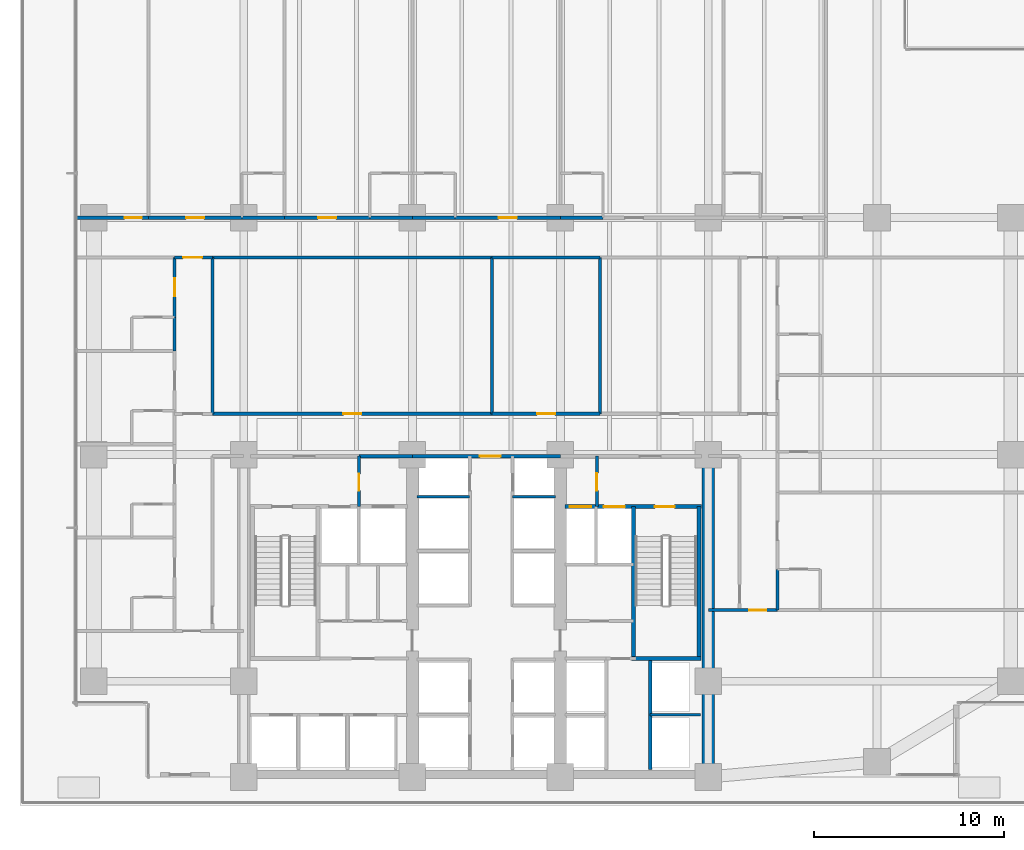
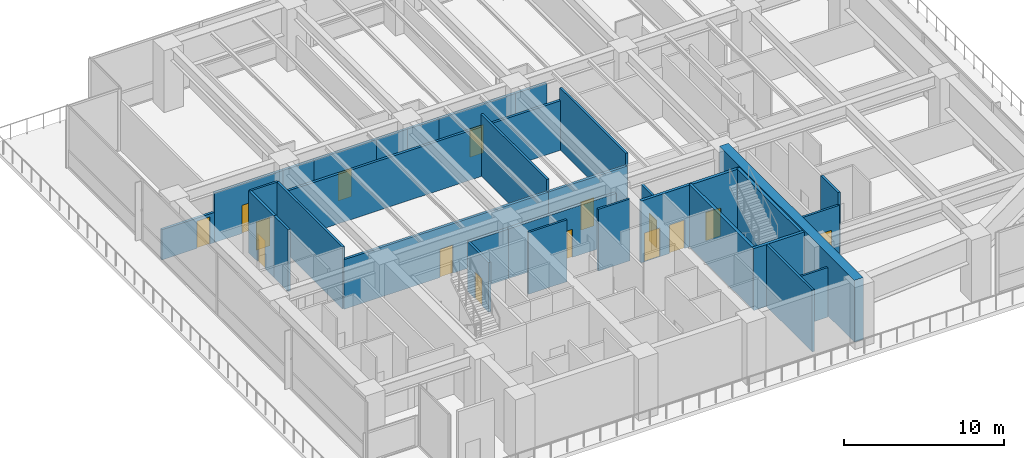
# One storey, part 9 of 19: 33 walls, 15 doors, 15 openings.
"""IFC4 building model written with IfcOpenShell, lengths in metres."""

from ifc_helpers import new_model, si_unit, direction, frame, frame_2d, origin, place, context, subcontext, project, spatial, rectangle, extrude, material, layer, layer_set, type_object, element, fill, save


model = new_model("IFC4")

# Units and contexts
model_context = context("Model", 3, precision=1e-05, world=origin(), true_north=direction((0.0, 1.0)))
body_context = subcontext(model_context, "Body", "Model", "MODEL_VIEW")
ifc_project = project(units=[si_unit("LENGTHUNIT", "METRE"), si_unit("AREAUNIT", "SQUARE_METRE"), si_unit("VOLUMEUNIT", "CUBIC_METRE"), si_unit("PLANEANGLEUNIT", "RADIAN"), si_unit("MASSUNIT", "GRAM", prefix="KILO")], contexts=[model_context])

# Site, building, storey
site_placement = place(None, origin())
site = spatial("IfcSite", under=ifc_project, at=site_placement, CompositionType="ELEMENT")
building_placement = place(site_placement, origin())
building = spatial("IfcBuilding", under=site, at=building_placement, Name="Qalmaran Belvedere Hotel", CompositionType="ELEMENT")
storey_placement = place(building_placement, frame((0.0, 0.0, 28.39990234375)))
storey = spatial("IfcBuildingStorey", under=building, at=storey_placement, Name="L06", CompositionType="ELEMENT", Elevation=28.39990234375)

# Walls
ifc_material_1 = material(Name="Concrete C60/75", Category="concrete")
ifc_layer_1 = layer(ifc_material_1, 0.64990234375, Name="Concrete C60/75")
ifc_layer_set_1 = layer_set([ifc_layer_1], Name="Concrete C60/75")
wall_type_1 = type_object("IfcWallType", Name="WL-CORE-650-C60", PredefinedType="SHEAR", material=ifc_layer_set_1)
wall_1_placement = place(storey_placement, frame((44.800048828125, 3.5, 0.0), z_axis=(0.0, 0.0, 1.0), x_axis=(0.0, 1.0, 0.0)))
element("IfcWall", 1, at=wall_1_placement, inside=storey, type_object=wall_type_1, Name="L06 East Core Shear Wall", PredefinedType="SHEAR", context=body_context, shape_type="SweptSolid", body=[
    extrude(rectangle(XDim=16.89990234375, YDim=0.64990234375, at=frame_2d((8.449951171875, 0.0))), origin(), (0.0, 0.0, 1.0), 4.72021484375),
])
ifc_material_2 = material(Name="Gypsum Stud Partition")
ifc_layer_2 = layer(ifc_material_2, 0.14990234375, Name="Gypsum Stud Partition")
ifc_layer_set_2 = layer_set([ifc_layer_2], Name="Gypsum Stud Partition")
wall_type_2 = type_object("IfcWallType", Name="WL-INT-150-EI120", PredefinedType="PARTITIONING", material=ifc_layer_set_2)
wall_2_placement = place(storey_placement, frame((41.739990234375, 6.780029296875, 0.0), z_axis=(0.0, 0.0, 1.0), x_axis=(1.0, 0.0, 0.0)))
element("IfcWall", 2, at=wall_2_placement, inside=storey, type_object=wall_type_2, Name="L06 Partition WL-PHME-L06", PredefinedType="PARTITIONING", context=body_context, shape_type="SweptSolid", body=[
    extrude(rectangle(XDim=2.659912109375, YDim=0.14990234375, at=frame_2d((1.330078125, 0.0))), origin(), (0.0, 0.0, 1.0), 3.7841796875),
])
wall_3_placement = place(storey_placement, frame((29.449951171875, 18.280029296875, 0.0), z_axis=(0.0, 0.0, 1.0), x_axis=(1.0, 0.0, 0.0)))
element("IfcWall", 3, at=wall_3_placement, inside=storey, type_object=wall_type_2, Name="L06 Partition WL-PMW-L06-182", PredefinedType="PARTITIONING", context=body_context, shape_type="SweptSolid", body=[
    extrude(rectangle(XDim=2.77001953125, YDim=0.14990234375, at=frame_2d((1.385009765625, 0.0))), origin(), (0.0, 0.0, 1.0), 4.72021484375),
])
wall_4_placement = place(storey_placement, frame((34.47998046875, 18.280029296875, 0.0), z_axis=(0.0, 0.0, 1.0), x_axis=(1.0, 0.0, 0.0)))
element("IfcWall", 4, at=wall_4_placement, inside=storey, type_object=wall_type_2, Name="L06 Partition WL-PME-L06-182", PredefinedType="PARTITIONING", context=body_context, shape_type="SweptSolid", body=[
    extrude(rectangle(XDim=2.27001953125, YDim=0.14990234375, at=frame_2d((1.135009765625, 0.0))), origin(), (0.0, 0.0, 1.0), 4.72021484375),
])

# Wall, opening, door
ifc_layer_3 = layer(ifc_material_2, 0.14990234375, Name="Gypsum Stud Partition")
ifc_layer_set_3 = layer_set([ifc_layer_3], Name="Gypsum Stud Partition")
wall_type_3 = type_object("IfcWallType", Name="WL-INT-150-EI60", PredefinedType="PARTITIONING", material=ifc_layer_set_3)
wall_5_placement = place(storey_placement, frame((16.64990234375, 30.89990234375, 0.0), z_axis=(0.0, 0.0, 1.0), x_axis=(1.0, 0.0, 0.0)))
wall_5 = element("IfcWall", 5, at=wall_5_placement, inside=storey, type_object=wall_type_3, Name="L06 Partition WL-L06-XCW2", PredefinedType="PARTITIONING", context=body_context, shape_type="SweptSolid", body=[
    extrude(rectangle(XDim=2.0, YDim=0.14990234375, at=frame_2d((1.0, 0.0))), origin(), (0.0, 0.0, 1.0), 4.72021484375),
])
opening_1_placement = place(wall_5_placement, frame((0.449951171875, 0.0, 0.0)))
opening_1 = element("IfcOpeningElement", 6, at=opening_1_placement, cuts=wall_5, Name="Opening FD90B", PredefinedType="OPENING", context=body_context, shape_type="SweptSolid", body=[
    extrude(rectangle(XDim=1.0, YDim=2.14990234375, at=frame_2d((0.5, 1.074951171875))), frame((0.0, 0.0849609375, 0.0), z_axis=(0.0, -1.0, 0.0), x_axis=(1.0, 0.0, 0.0)), (0.0, 0.0, 1.0), 0.169921875),
])
ifc_material_3 = material(Name="Steel S355JR", Category="steel")
door_type_1 = type_object("IfcDoorType", Name="DR-FD90B-1000X2150", OperationType="NOTDEFINED", PredefinedType="DOOR", material=ifc_material_3)
door_1_placement = place(opening_1_placement, origin())
door_1 = element("IfcDoor", 7, at=door_1_placement, inside=storey, type_object=door_type_1, Name="L06 West Corridor Smoke Door N", OperationType="SINGLE_SWING_LEFT", OverallHeight=2.14990234375, OverallWidth=1.0, PredefinedType="DOOR", context=body_context, shape_type="SweptSolid", body=[
    extrude(rectangle(XDim=1.0, YDim=2.14990234375, at=frame_2d((0.5, 1.074951171875))), frame((0.0, 0.02490234375, 0.0), z_axis=(0.0, -1.0, 0.0), x_axis=(1.0, 0.0, 0.0)), (0.0, 0.0, 1.0), 0.050048828125),
])
fill(opening_1, door_1)

ifc_layer_4 = layer(ifc_material_2, 0.159912109375, Name="Gypsum Stud Partition")
ifc_layer_set_4 = layer_set([ifc_layer_4], Name="Gypsum Stud Partition")
wall_type_4 = type_object("IfcWallType", Name="WL-INT-160-EI120", PredefinedType="PARTITIONING", material=ifc_layer_set_4)
wall_6_placement = place(storey_placement, frame((26.3798828125, 17.760009765625, 0.0), z_axis=(0.0, 0.0, 1.0), x_axis=(0.0, 1.0, 0.0)))
wall_6 = element("IfcWall", 8, at=wall_6_placement, inside=storey, type_object=wall_type_4, Name="L06 Partition WL-FFSV1-L06", PredefinedType="PARTITIONING", context=body_context, shape_type="SweptSolid", body=[
    extrude(rectangle(XDim=2.659912109375, YDim=0.159912109375, at=frame_2d((1.330078125, 0.0))), origin(), (0.0, 0.0, 1.0), 3.7841796875),
])
opening_2_placement = place(wall_6_placement, frame((0.85009765625, 0.0, 0.0)))
opening_2 = element("IfcOpeningElement", 9, at=opening_2_placement, cuts=wall_6, Name="Opening FD60B", PredefinedType="OPENING", context=body_context, shape_type="SweptSolid", body=[
    extrude(rectangle(XDim=0.8798828125, YDim=2.080078125, at=frame_2d((0.43994140625, 1.0400390625))), frame((0.0, 0.08984375, 0.0), z_axis=(0.0, -1.0, 0.0), x_axis=(1.0, 0.0, 0.0)), (0.0, 0.0, 1.0), 0.179931640625),
])
door_type_2 = type_object("IfcDoorType", Name="DR-FD60B-880X2080", OperationType="NOTDEFINED", PredefinedType="DOOR", material=ifc_material_3)
door_2_placement = place(opening_2_placement, origin())
door_2 = element("IfcDoor", 10, at=door_2_placement, inside=storey, type_object=door_type_2, Name="L06 Service Lobby West Door", OperationType="SINGLE_SWING_LEFT", OverallHeight=2.080078125, OverallWidth=0.8798828125, PredefinedType="DOOR", context=body_context, shape_type="SweptSolid", body=[
    extrude(rectangle(XDim=0.8798828125, YDim=2.080078125, at=frame_2d((0.43994140625, 1.0400390625))), frame((0.0, 0.02490234375, 0.0), z_axis=(0.0, -1.0, 0.0), x_axis=(1.0, 0.0, 0.0)), (0.0, 0.0, 1.0), 0.050048828125),
])
fill(opening_2, door_2)

wall_7_placement = place(storey_placement, frame((38.919921875, 17.760009765625, 0.0), z_axis=(0.0, 0.0, 1.0), x_axis=(0.0, 1.0, 0.0)))
wall_7 = element("IfcWall", 11, at=wall_7_placement, inside=storey, type_object=wall_type_4, Name="L06 Partition WL-FFSV2-L06", PredefinedType="PARTITIONING", context=body_context, shape_type="SweptSolid", body=[
    extrude(rectangle(XDim=2.659912109375, YDim=0.159912109375, at=frame_2d((1.330078125, 0.0))), origin(), (0.0, 0.0, 1.0), 3.7841796875),
])
opening_3_placement = place(wall_7_placement, frame((1.77001953125, 0.0, 0.0), z_axis=(0.0, 0.0, 1.0), x_axis=(-1.0, 0.0, 0.0)))
opening_3 = element("IfcOpeningElement", 12, at=opening_3_placement, cuts=wall_7, Name="Opening FD60S1", PredefinedType="OPENING", context=body_context, shape_type="SweptSolid", body=[
    extrude(rectangle(XDim=0.919921875, YDim=2.080078125, at=frame_2d((0.4599609375, 1.0400390625))), frame((0.0, 0.08984375, 0.0), z_axis=(0.0, -1.0, 0.0), x_axis=(1.0, 0.0, 0.0)), (0.0, 0.0, 1.0), 0.179931640625),
])
ifc_material_4 = material(Name="Engineered Oak Veneer")
door_type_3 = type_object("IfcDoorType", Name="DR-FD60S-920X2080", OperationType="NOTDEFINED", PredefinedType="DOOR", material=ifc_material_4)
door_3_placement = place(opening_3_placement, origin())
door_3 = element("IfcDoor", 13, at=door_3_placement, inside=storey, type_object=door_type_3, Name="L06 Service Lobby East Door", OperationType="SINGLE_SWING_RIGHT", OverallHeight=2.080078125, OverallWidth=0.919921875, PredefinedType="DOOR", context=body_context, shape_type="SweptSolid", body=[
    extrude(rectangle(XDim=0.919921875, YDim=2.080078125, at=frame_2d((0.4599609375, 1.0400390625))), frame((0.0, 0.02490234375, 0.0), z_axis=(0.0, -1.0, 0.0), x_axis=(1.0, 0.0, 0.0)), (0.0, 0.0, 1.0), 0.050048828125),
])
fill(opening_3, door_3)

# Wall
wall_8_placement = place(storey_placement, frame((41.739990234375, 3.89990234375, 0.0), z_axis=(0.0, 0.0, 1.0), x_axis=(0.0, 1.0, 0.0)))
element("IfcWall", 14, at=wall_8_placement, inside=storey, type_object=wall_type_4, Name="L06 Partition WL-PHE-L06", PredefinedType="PARTITIONING", context=body_context, shape_type="SweptSolid", body=[
    extrude(rectangle(XDim=5.840087890625, YDim=0.159912109375, at=frame_2d((2.919921875, 0.0))), origin(), (0.0, 0.0, 1.0), 4.72021484375),
])

# Wall, opening, door
ifc_layer_5 = layer(ifc_material_2, 0.159912109375, Name="Gypsum Stud Partition")
ifc_layer_set_5 = layer_set([ifc_layer_5], Name="Gypsum Stud Partition")
wall_type_5 = type_object("IfcWallType", Name="WL-INT-160-EI60", PredefinedType="PARTITIONING", material=ifc_layer_set_5)
wall_9_placement = place(storey_placement, frame((44.800048828125, 12.300048828125, 0.0), z_axis=(0.0, 0.0, 1.0), x_axis=(1.0, 0.0, 0.0)))
wall_9 = element("IfcWall", 15, at=wall_9_placement, inside=storey, type_object=wall_type_5, Name="L06 Partition WL-L06-SERL", PredefinedType="PARTITIONING", context=body_context, shape_type="SweptSolid", body=[
    extrude(rectangle(XDim=3.64990234375, YDim=0.159912109375, at=frame_2d((1.824951171875, 0.0))), origin(), (0.0, 0.0, 1.0), 3.7841796875),
])
opening_4_placement = place(wall_9_placement, frame((3.06982421875, 0.0, 0.0), z_axis=(0.0, 0.0, 1.0), x_axis=(-1.0, 0.0, 0.0)))
opening_4 = element("IfcOpeningElement", 16, at=opening_4_placement, cuts=wall_9, Name="Opening FD60S1", PredefinedType="OPENING", context=body_context, shape_type="SweptSolid", body=[
    extrude(rectangle(XDim=0.919921875, YDim=2.080078125, at=frame_2d((0.4599609375, 1.0400390625))), frame((0.0, 0.08984375, 0.0), z_axis=(0.0, -1.0, 0.0), x_axis=(1.0, 0.0, 0.0)), (0.0, 0.0, 1.0), 0.179931640625),
])
door_4_placement = place(opening_4_placement, origin())
door_4 = element("IfcDoor", 17, at=door_4_placement, inside=storey, type_object=door_type_3, Name="L06 SE Lounge Door", OperationType="SINGLE_SWING_LEFT", OverallHeight=2.080078125, OverallWidth=0.919921875, PredefinedType="DOOR", context=body_context, shape_type="SweptSolid", body=[
    extrude(rectangle(XDim=0.919921875, YDim=2.080078125, at=frame_2d((0.4599609375, 1.0400390625))), frame((0.0, 0.02490234375, 0.0), z_axis=(0.0, -1.0, 0.0), x_axis=(1.0, 0.0, 0.0)), (0.0, 0.0, 1.0), 0.050048828125),
])
fill(opening_4, door_4)

# Walls
for number, where, z_axis, x_axis, name in (
    (18, (18.64990234375, 22.64990234375, 0.0), (0.0, 0.0, 1.0), (0.0, 1.0, 0.0), "L06 Partition WL-L06-MIDVL"),
    (19, (33.39990234375, 22.64990234375, 0.0), (0.0, 0.0, 1.0), (0.0, 1.0, 0.0), "L06 Partition WL-L06-MIDVR1"),
    (20, (39.10009765625, 22.64990234375, 0.0), (0.0, 0.0, 1.0), (0.0, 1.0, 0.0), "L06 Partition WL-L06-MIDVR2"),
):
    element("IfcWall", number, at=place(storey_placement, frame(where, z_axis=z_axis, x_axis=x_axis)), inside=storey, type_object=wall_type_5, Name=name, PredefinedType="PARTITIONING", context=body_context, shape_type="SweptSolid", body=[
        extrude(rectangle(XDim=8.25, YDim=0.159912109375, at=frame_2d((4.125, 0.0))), origin(), (0.0, 0.0, 1.0), 4.72021484375),
    ])

# Wall, opening, door
ifc_layer_6 = layer(ifc_material_2, 0.179931640625, Name="Gypsum Stud Partition")
ifc_layer_set_6 = layer_set([ifc_layer_6], Name="Gypsum Stud Partition")
wall_type_6 = type_object("IfcWallType", Name="WL-INT-180-EI60", PredefinedType="PARTITIONING", material=ifc_layer_set_6)
wall_10_placement = place(storey_placement, frame((18.64990234375, 22.64990234375, 0.0), z_axis=(0.0, 0.0, 1.0), x_axis=(1.0, 0.0, 0.0)))
wall_10 = element("IfcWall", 21, at=wall_10_placement, inside=storey, type_object=wall_type_6, Name="L06 Partition WL-L06-MIDD1", PredefinedType="PARTITIONING", context=body_context, shape_type="SweptSolid", body=[
    extrude(rectangle(XDim=14.75, YDim=0.179931640625, at=frame_2d((7.375, 0.0))), origin(), (0.0, 0.0, 1.0), 3.7841796875),
])
opening_5_placement = place(wall_10_placement, frame((6.89990234375, 0.0, 0.0)))
opening_5 = element("IfcOpeningElement", 22, at=opening_5_placement, cuts=wall_10, Name="Opening FD60", PredefinedType="OPENING", context=body_context, shape_type="SweptSolid", body=[
    extrude(rectangle(XDim=0.949951171875, YDim=2.14990234375, at=frame_2d((0.47509765625, 1.074951171875))), frame((0.0, 0.10009765625, 0.0), z_axis=(0.0, -1.0, 0.0), x_axis=(1.0, 0.0, 0.0)), (0.0, 0.0, 1.0), 0.199951171875),
])
door_type_4 = type_object("IfcDoorType", Name="DR-FD60-950X2150", OperationType="NOTDEFINED", PredefinedType="DOOR", material=ifc_material_4)
door_5_placement = place(opening_5_placement, origin())
door_5 = element("IfcDoor", 23, at=door_5_placement, inside=storey, type_object=door_type_4, Name="L06 Housekeeping and Linen Room Door", OperationType="SINGLE_SWING_RIGHT", OverallHeight=2.14990234375, OverallWidth=0.949951171875, PredefinedType="DOOR", context=body_context, shape_type="SweptSolid", body=[
    extrude(rectangle(XDim=0.949951171875, YDim=2.14990234375, at=frame_2d((0.47509765625, 1.074951171875))), frame((0.0, 0.02490234375, 0.0), z_axis=(0.0, -1.0, 0.0), x_axis=(1.0, 0.0, 0.0)), (0.0, 0.0, 1.0), 0.050048828125),
])
fill(opening_5, door_5)

# Wall
wall_11_placement = place(storey_placement, frame((18.64990234375, 30.89990234375, 0.0), z_axis=(0.0, 0.0, 1.0), x_axis=(1.0, 0.0, 0.0)))
element("IfcWall", 24, at=wall_11_placement, inside=storey, type_object=wall_type_6, Name="L06 Partition WL-L06-MIDO1", PredefinedType="PARTITIONING", context=body_context, shape_type="SweptSolid", body=[
    extrude(rectangle(XDim=14.75, YDim=0.179931640625, at=frame_2d((7.375, 0.0))), origin(), (0.0, 0.0, 1.0), 3.7841796875),
])

# Wall, opening, door
wall_12_placement = place(storey_placement, frame((33.39990234375, 22.64990234375, 0.0), z_axis=(0.0, 0.0, 1.0), x_axis=(1.0, 0.0, 0.0)))
wall_12 = element("IfcWall", 25, at=wall_12_placement, inside=storey, type_object=wall_type_6, Name="L06 Partition WL-L06-MIDD2", PredefinedType="PARTITIONING", context=body_context, shape_type="SweptSolid", body=[
    extrude(rectangle(XDim=5.7001953125, YDim=0.179931640625, at=frame_2d((2.85009765625, 0.0))), origin(), (0.0, 0.0, 1.0), 3.7841796875),
])
opening_6_placement = place(wall_12_placement, frame((2.375, 0.0, 0.0)))
opening_6 = element("IfcOpeningElement", 26, at=opening_6_placement, cuts=wall_12, Name="Opening FD60", PredefinedType="OPENING", context=body_context, shape_type="SweptSolid", body=[
    extrude(rectangle(XDim=0.949951171875, YDim=2.14990234375, at=frame_2d((0.47509765625, 1.074951171875))), frame((0.0, 0.10009765625, 0.0), z_axis=(0.0, -1.0, 0.0), x_axis=(1.0, 0.0, 0.0)), (0.0, 0.0, 1.0), 0.199951171875),
])
door_6_placement = place(opening_6_placement, origin())
door_6 = element("IfcDoor", 27, at=door_6_placement, inside=storey, type_object=door_type_4, Name="L06 Club Lounge Door", OperationType="SINGLE_SWING_LEFT", OverallHeight=2.14990234375, OverallWidth=0.949951171875, PredefinedType="DOOR", context=body_context, shape_type="SweptSolid", body=[
    extrude(rectangle(XDim=0.949951171875, YDim=2.14990234375, at=frame_2d((0.47509765625, 1.074951171875))), frame((0.0, 0.02490234375, 0.0), z_axis=(0.0, -1.0, 0.0), x_axis=(1.0, 0.0, 0.0)), (0.0, 0.0, 1.0), 0.050048828125),
])
fill(opening_6, door_6)

# Walls
wall_13_placement = place(storey_placement, frame((33.39990234375, 30.89990234375, 0.0), z_axis=(0.0, 0.0, 1.0), x_axis=(1.0, 0.0, 0.0)))
element("IfcWall", 28, at=wall_13_placement, inside=storey, type_object=wall_type_6, Name="L06 Partition WL-L06-MIDO2", PredefinedType="PARTITIONING", context=body_context, shape_type="SweptSolid", body=[
    extrude(rectangle(XDim=5.7001953125, YDim=0.179931640625, at=frame_2d((2.85009765625, 0.0))), origin(), (0.0, 0.0, 1.0), 3.7841796875),
])
wall_14_placement = place(storey_placement, frame((20.203857421875, 33.0, 0.0), z_axis=(0.0, 0.0, 1.0), x_axis=(1.0, 0.0, 0.0)))
element("IfcWall", 29, at=wall_14_placement, inside=storey, type_object=wall_type_6, Name="L06 Partition WL-L06-NBC00", PredefinedType="PARTITIONING", context=body_context, shape_type="SweptSolid", body=[
    extrude(rectangle(XDim=2.25, YDim=0.179931640625, at=frame_2d((1.125, 0.0))), origin(), (0.0, 0.0, 1.0), 3.7841796875),
])

# Wall, opening, door
wall_15_placement = place(storey_placement, frame((15.27001953125, 33.0, 0.0), z_axis=(0.0, 0.0, 1.0), x_axis=(1.0, 0.0, 0.0)))
wall_15 = element("IfcWall", 30, at=wall_15_placement, inside=storey, type_object=wall_type_6, Name="L06 Partition WL-L06-NEC00", PredefinedType="PARTITIONING", context=body_context, shape_type="SweptSolid", body=[
    extrude(rectangle(XDim=4.933837890625, YDim=0.179931640625, at=frame_2d((2.466796875, 0.0))), origin(), (0.0, 0.0, 1.0), 3.7841796875),
])
opening_7_placement = place(wall_15_placement, frame((1.991943359375, 0.0, 0.0)))
opening_7 = element("IfcOpeningElement", 31, at=opening_7_placement, cuts=wall_15, Name="Opening FD60", PredefinedType="OPENING", context=body_context, shape_type="SweptSolid", body=[
    extrude(rectangle(XDim=0.949951171875, YDim=2.14990234375, at=frame_2d((0.47509765625, 1.074951171875))), frame((0.0, 0.10009765625, 0.0), z_axis=(0.0, -1.0, 0.0), x_axis=(1.0, 0.0, 0.0)), (0.0, 0.0, 1.0), 0.199951171875),
])
door_7_placement = place(opening_7_placement, origin())
door_7 = element("IfcDoor", 32, at=door_7_placement, inside=storey, type_object=door_type_4, Name="L06 Guest Entrance Door N01", OperationType="SINGLE_SWING_RIGHT", OverallHeight=2.14990234375, OverallWidth=0.949951171875, PredefinedType="DOOR", context=body_context, shape_type="SweptSolid", body=[
    extrude(rectangle(XDim=0.949951171875, YDim=2.14990234375, at=frame_2d((0.47509765625, 1.074951171875))), frame((0.0, 0.02490234375, 0.0), z_axis=(0.0, -1.0, 0.0), x_axis=(1.0, 0.0, 0.0)), (0.0, 0.0, 1.0), 0.050048828125),
])
fill(opening_7, door_7)

# Wall
wall_16_placement = place(storey_placement, frame((26.949951171875, 33.0, 0.0), z_axis=(0.0, 0.0, 1.0), x_axis=(1.0, 0.0, 0.0)))
element("IfcWall", 33, at=wall_16_placement, inside=storey, type_object=wall_type_6, Name="L06 Partition WL-L06-NBC01", PredefinedType="PARTITIONING", context=body_context, shape_type="SweptSolid", body=[
    extrude(rectangle(XDim=2.25, YDim=0.179931640625, at=frame_2d((1.125, 0.0))), origin(), (0.0, 0.0, 1.0), 3.7841796875),
])

# Wall, opening, door
wall_17_placement = place(storey_placement, frame((22.453857421875, 33.0, 0.0), z_axis=(0.0, 0.0, 1.0), x_axis=(1.0, 0.0, 0.0)))
wall_17 = element("IfcWall", 34, at=wall_17_placement, inside=storey, type_object=wall_type_6, Name="L06 Partition WL-L06-NEC01", PredefinedType="PARTITIONING", context=body_context, shape_type="SweptSolid", body=[
    extrude(rectangle(XDim=4.49609375, YDim=0.179931640625, at=frame_2d((2.248046875, 0.0))), origin(), (0.0, 0.0, 1.0), 3.7841796875),
])
opening_8_placement = place(wall_17_placement, frame((1.773193359375, 0.0, 0.0)))
opening_8 = element("IfcOpeningElement", 35, at=opening_8_placement, cuts=wall_17, Name="Opening FD60", PredefinedType="OPENING", context=body_context, shape_type="SweptSolid", body=[
    extrude(rectangle(XDim=0.949951171875, YDim=2.14990234375, at=frame_2d((0.47509765625, 1.074951171875))), frame((0.0, 0.10009765625, 0.0), z_axis=(0.0, -1.0, 0.0), x_axis=(1.0, 0.0, 0.0)), (0.0, 0.0, 1.0), 0.199951171875),
])
door_8_placement = place(opening_8_placement, origin())
door_8 = element("IfcDoor", 36, at=door_8_placement, inside=storey, type_object=door_type_4, Name="L06 Guest Entrance Door N02", OperationType="SINGLE_SWING_RIGHT", OverallHeight=2.14990234375, OverallWidth=0.949951171875, PredefinedType="DOOR", context=body_context, shape_type="SweptSolid", body=[
    extrude(rectangle(XDim=0.949951171875, YDim=2.14990234375, at=frame_2d((0.47509765625, 1.074951171875))), frame((0.0, 0.02490234375, 0.0), z_axis=(0.0, -1.0, 0.0), x_axis=(1.0, 0.0, 0.0)), (0.0, 0.0, 1.0), 0.050048828125),
])
fill(opening_8, door_8)

# Wall
wall_18_placement = place(storey_placement, frame((29.199951171875, 33.0, 0.0), z_axis=(0.0, 0.0, 1.0), x_axis=(1.0, 0.0, 0.0)))
element("IfcWall", 37, at=wall_18_placement, inside=storey, type_object=wall_type_6, Name="L06 Partition WL-L06-NBC02", PredefinedType="PARTITIONING", context=body_context, shape_type="SweptSolid", body=[
    extrude(rectangle(XDim=2.25, YDim=0.179931640625, at=frame_2d((1.125, 0.0))), origin(), (0.0, 0.0, 1.0), 3.7841796875),
])

# Wall, opening, door
wall_19_placement = place(storey_placement, frame((31.449951171875, 33.0, 0.0), z_axis=(0.0, 0.0, 1.0), x_axis=(1.0, 0.0, 0.0)))
wall_19 = element("IfcWall", 38, at=wall_19_placement, inside=storey, type_object=wall_type_6, Name="L06 Partition WL-L06-NEC02", PredefinedType="PARTITIONING", context=body_context, shape_type="SweptSolid", body=[
    extrude(rectangle(XDim=5.550048828125, YDim=0.179931640625, at=frame_2d((2.77490234375, 0.0))), origin(), (0.0, 0.0, 1.0), 3.7841796875),
])
opening_9_placement = place(wall_19_placement, frame((2.300048828125, 0.0, 0.0)))
opening_9 = element("IfcOpeningElement", 39, at=opening_9_placement, cuts=wall_19, Name="Opening FD60", PredefinedType="OPENING", context=body_context, shape_type="SweptSolid", body=[
    extrude(rectangle(XDim=0.949951171875, YDim=2.14990234375, at=frame_2d((0.47509765625, 1.074951171875))), frame((0.0, 0.10009765625, 0.0), z_axis=(0.0, -1.0, 0.0), x_axis=(1.0, 0.0, 0.0)), (0.0, 0.0, 1.0), 0.199951171875),
])
door_9_placement = place(opening_9_placement, origin())
door_9 = element("IfcDoor", 40, at=door_9_placement, inside=storey, type_object=door_type_4, Name="L06 Guest Entrance Door N03", OperationType="SINGLE_SWING_RIGHT", OverallHeight=2.14990234375, OverallWidth=0.949951171875, PredefinedType="DOOR", context=body_context, shape_type="SweptSolid", body=[
    extrude(rectangle(XDim=0.949951171875, YDim=2.14990234375, at=frame_2d((0.47509765625, 1.074951171875))), frame((0.0, 0.02490234375, 0.0), z_axis=(0.0, -1.0, 0.0), x_axis=(1.0, 0.0, 0.0)), (0.0, 0.0, 1.0), 0.050048828125),
])
fill(opening_9, door_9)

# Walls
wall_20_placement = place(storey_placement, frame((37.0, 33.0, 0.0), z_axis=(0.0, 0.0, 1.0), x_axis=(1.0, 0.0, 0.0)))
element("IfcWall", 41, at=wall_20_placement, inside=storey, type_object=wall_type_6, Name="L06 Partition WL-L06-NBC03", PredefinedType="PARTITIONING", context=body_context, shape_type="SweptSolid", body=[
    extrude(rectangle(XDim=2.25, YDim=0.179931640625, at=frame_2d((1.125, 0.0))), origin(), (0.0, 0.0, 1.0), 3.7841796875),
])
wall_21_placement = place(storey_placement, frame((16.64990234375, 25.97509765625, 0.0), z_axis=(0.0, 0.0, 1.0), x_axis=(0.0, 1.0, 0.0)))
element("IfcWall", 42, at=wall_21_placement, inside=storey, type_object=wall_type_6, Name="L06 Partition WL-L06-WBC03", PredefinedType="PARTITIONING", context=body_context, shape_type="SweptSolid", body=[
    extrude(rectangle(XDim=1.77001953125, YDim=0.179931640625, at=frame_2d((0.885009765625, 0.0))), origin(), (0.0, 0.0, 1.0), 4.72021484375),
])

# Wall, opening, door
wall_22_placement = place(storey_placement, frame((16.64990234375, 27.7451171875, 0.0), z_axis=(0.0, 0.0, 1.0), x_axis=(0.0, 1.0, 0.0)))
wall_22 = element("IfcWall", 43, at=wall_22_placement, inside=storey, type_object=wall_type_6, Name="L06 Partition WL-L06-WEC03", PredefinedType="PARTITIONING", context=body_context, shape_type="SweptSolid", body=[
    extrude(rectangle(XDim=3.15478515625, YDim=0.179931640625, at=frame_2d((1.577392578125, 0.0))), origin(), (0.0, 0.0, 1.0), 4.72021484375),
])
opening_10_placement = place(wall_22_placement, frame((1.1025390625, 0.0, 0.0)))
opening_10 = element("IfcOpeningElement", 44, at=opening_10_placement, cuts=wall_22, Name="Opening FD60", PredefinedType="OPENING", context=body_context, shape_type="SweptSolid", body=[
    extrude(rectangle(XDim=0.949951171875, YDim=2.14990234375, at=frame_2d((0.47509765625, 1.074951171875))), frame((0.0, 0.10009765625, 0.0), z_axis=(0.0, -1.0, 0.0), x_axis=(1.0, 0.0, 0.0)), (0.0, 0.0, 1.0), 0.199951171875),
])
door_10_placement = place(opening_10_placement, origin())
door_10 = element("IfcDoor", 45, at=door_10_placement, inside=storey, type_object=door_type_4, Name="L06 W Wing Door 04", OperationType="SINGLE_SWING_RIGHT", OverallHeight=2.14990234375, OverallWidth=0.949951171875, PredefinedType="DOOR", context=body_context, shape_type="SweptSolid", body=[
    extrude(rectangle(XDim=0.949951171875, YDim=2.14990234375, at=frame_2d((0.47509765625, 1.074951171875))), frame((0.0, 0.02490234375, 0.0), z_axis=(0.0, -1.0, 0.0), x_axis=(1.0, 0.0, 0.0)), (0.0, 0.0, 1.0), 0.050048828125),
])
fill(opening_10, door_10)

# Wall
wall_23_placement = place(storey_placement, frame((48.449951171875, 12.300048828125, 0.0), z_axis=(0.0, 0.0, 1.0), x_axis=(0.0, 1.0, 0.0)))
element("IfcWall", 46, at=wall_23_placement, inside=storey, type_object=wall_type_6, Name="L06 Partition WL-L06-EBC00", PredefinedType="PARTITIONING", context=body_context, shape_type="SweptSolid", body=[
    extrude(rectangle(XDim=2.14990234375, YDim=0.179931640625, at=frame_2d((1.074951171875, 0.0))), origin(), (0.0, 0.0, 1.0), 4.72021484375),
])

# Wall, opening, door
wall_24_placement = place(storey_placement, frame((11.469970703125, 33.0, 0.0), z_axis=(0.0, 0.0, 1.0), x_axis=(1.0, 0.0, 0.0)))
wall_24 = element("IfcWall", 47, at=wall_24_placement, inside=storey, type_object=wall_type_6, Name="L06 Partition WL-L06-NWSD", PredefinedType="PARTITIONING", context=body_context, shape_type="SweptSolid", body=[
    extrude(rectangle(XDim=3.800048828125, YDim=0.179931640625, at=frame_2d((1.89990234375, 0.0))), origin(), (0.0, 0.0, 1.0), 2.30517578125),
])
opening_11_placement = place(wall_24_placement, frame((2.543701171875, 0.0, 0.0)))
opening_11 = element("IfcOpeningElement", 48, at=opening_11_placement, cuts=wall_24, Name="Opening FD60S1", PredefinedType="OPENING", context=body_context, shape_type="SweptSolid", body=[
    extrude(rectangle(XDim=0.919921875, YDim=2.080078125, at=frame_2d((0.4599609375, 1.0400390625))), frame((0.0, 0.10009765625, 0.0), z_axis=(0.0, -1.0, 0.0), x_axis=(1.0, 0.0, 0.0)), (0.0, 0.0, 1.0), 0.199951171875),
])
door_11_placement = place(opening_11_placement, origin())
door_11 = element("IfcDoor", 49, at=door_11_placement, inside=storey, type_object=door_type_3, Name="L06 NW Belvedere Study Door", OperationType="SINGLE_SWING_LEFT", OverallHeight=2.080078125, OverallWidth=0.919921875, PredefinedType="DOOR", context=body_context, shape_type="SweptSolid", body=[
    extrude(rectangle(XDim=0.919921875, YDim=2.080078125, at=frame_2d((0.4599609375, 1.0400390625))), frame((0.0, 0.02490234375, 0.0), z_axis=(0.0, -1.0, 0.0), x_axis=(1.0, 0.0, 0.0)), (0.0, 0.0, 1.0), 0.050048828125),
])
fill(opening_11, door_11)

# Wall
ifc_material_5 = material(Name="Concrete C30/37 Blockwork", Category="masonry")
ifc_layer_7 = layer(ifc_material_5, 0.199951171875, Name="Concrete C30/37 Blockwork")
ifc_layer_set_7 = layer_set([ifc_layer_7], Name="Concrete C30/37 Blockwork")
wall_type_7 = type_object("IfcWallType", Name="WL-INT-200-EI120", PredefinedType="PARTITIONING", material=ifc_layer_set_7)
wall_25_placement = place(storey_placement, frame((26.3798828125, 20.419921875, 0.0), z_axis=(0.0, 0.0, 1.0), x_axis=(1.0, 0.0, 0.0)))
element("IfcWall", 50, at=wall_25_placement, inside=storey, type_object=wall_type_7, Name="L06 Partition WL-CN1B-L06", PredefinedType="PARTITIONING", context=body_context, shape_type="SweptSolid", body=[
    extrude(rectangle(XDim=2.820068359375, YDim=0.199951171875, at=frame_2d((1.41015625, 0.0))), origin(), (0.0, 0.0, 1.0), 3.7841796875),
])

# Wall, opening, door
wall_26_placement = place(storey_placement, frame((29.199951171875, 20.419921875, 0.0), z_axis=(0.0, 0.0, 1.0), x_axis=(1.0, 0.0, 0.0)))
wall_26 = element("IfcWall", 51, at=wall_26_placement, inside=storey, type_object=wall_type_7, Name="L06 Partition WL-CN2-L06", PredefinedType="PARTITIONING", context=body_context, shape_type="SweptSolid", body=[
    extrude(rectangle(XDim=7.800048828125, YDim=0.199951171875, at=frame_2d((3.89990234375, 0.0))), origin(), (0.0, 0.0, 1.0), 3.7841796875),
])
opening_12_placement = place(wall_26_placement, frame((3.550048828125, 0.0, 0.0)))
opening_12 = element("IfcOpeningElement", 52, at=opening_12_placement, cuts=wall_26, Name="Opening FD90", PredefinedType="OPENING", context=body_context, shape_type="SweptSolid", body=[
    extrude(rectangle(XDim=1.10009765625, YDim=2.14990234375, at=frame_2d((0.550048828125, 1.074951171875))), frame((0.0, 0.10986328125, 0.0), z_axis=(0.0, -1.0, 0.0), x_axis=(1.0, 0.0, 0.0)), (0.0, 0.0, 1.0), 0.219970703125),
])
door_type_5 = type_object("IfcDoorType", Name="DR-FD90-1100X2150", OperationType="NOTDEFINED", PredefinedType="DOOR", material=ifc_material_3)
door_12_placement = place(opening_12_placement, origin())
door_12 = element("IfcDoor", 53, at=door_12_placement, inside=storey, type_object=door_type_5, Name="L06 Central Lift Lobby Door", OperationType="SINGLE_SWING_RIGHT", OverallHeight=2.14990234375, OverallWidth=1.10009765625, PredefinedType="DOOR", context=body_context, shape_type="SweptSolid", body=[
    extrude(rectangle(XDim=1.10009765625, YDim=2.14990234375, at=frame_2d((0.550048828125, 1.074951171875))), frame((0.0, 0.02490234375, 0.0), z_axis=(0.0, -1.0, 0.0), x_axis=(1.0, 0.0, 0.0)), (0.0, 0.0, 1.0), 0.050048828125),
])
fill(opening_12, door_12)

# Walls
ifc_material_6 = material(Name="Concrete C50/60", Category="concrete")
ifc_layer_8 = layer(ifc_material_6, 0.2099609375, Name="Concrete C50/60")
ifc_layer_set_8 = layer_set([ifc_layer_8], Name="Concrete C50/60")
wall_type_8 = type_object("IfcWallType", Name="WL-STAIR-210-C50", PredefinedType="SHEAR", material=ifc_layer_set_8)
for number, where, z_axis, x_axis, name in (
    (54, (40.85498046875, 9.7451171875, 0.0), (0.0, 0.0, 1.0), (0.0, 1.0, 0.0), "L06 Stair ST-2 West Bearing Wall"),
    (55, (44.304931640625, 9.7451171875, 0.0), (0.0, 0.0, 1.0), (0.0, 1.0, 0.0), "L06 Stair ST-2 East Bearing Wall"),
):
    element("IfcWall", number, at=place(storey_placement, frame(where, z_axis=z_axis, x_axis=x_axis)), inside=storey, type_object=wall_type_8, Name=name, PredefinedType="SHEAR", context=body_context, shape_type="SweptSolid", body=[
        extrude(rectangle(XDim=8.009765625, YDim=0.2099609375, at=frame_2d((4.0048828125, 0.0))), origin(), (0.0, 0.0, 1.0), 4.72021484375),
    ])
wall_27_placement = place(storey_placement, frame((40.75, 9.7451171875, 0.0), z_axis=(0.0, 0.0, 1.0), x_axis=(1.0, 0.0, 0.0)))
element("IfcWall", 56, at=wall_27_placement, inside=storey, type_object=wall_type_8, Name="L06 Stair ST-2 South Bearing Wall", PredefinedType="SHEAR", context=body_context, shape_type="SweptSolid", body=[
    extrude(rectangle(XDim=3.659912109375, YDim=0.2099609375, at=frame_2d((1.830078125, 0.0))), origin(), (0.0, 0.0, 1.0), 4.72021484375),
])

# Wall, openings, doors
wall_28_placement = place(storey_placement, frame((37.25, 17.7548828125, 0.0), z_axis=(0.0, 0.0, 1.0), x_axis=(1.0, 0.0, 0.0)))
wall_28 = element("IfcWall", 57, at=wall_28_placement, inside=storey, type_object=wall_type_8, Name="L06 East Lobby and Stair ST-2 North Bearing Wall", PredefinedType="SHEAR", context=body_context, shape_type="SweptSolid", body=[
    extrude(rectangle(XDim=7.199951171875, YDim=0.2099609375, at=frame_2d((3.60009765625, 0.0))), origin(), (0.0, 0.0, 1.0), 4.72021484375),
])
opening_13_placement = place(wall_28_placement, frame((0.25, 0.0, 0.0)))
opening_13 = element("IfcOpeningElement", 58, at=opening_13_placement, cuts=wall_28, Name="Opening LD-SV", PredefinedType="OPENING", context=body_context, shape_type="SweptSolid", body=[
    extrude(rectangle(XDim=1.1201171875, YDim=2.199951171875, at=frame_2d((0.56005859375, 1.10009765625))), frame((0.0, 0.114990234375, 0.0), z_axis=(0.0, -1.0, 0.0), x_axis=(1.0, 0.0, 0.0)), (0.0, 0.0, 1.0), 0.22998046875),
])
opening_14_placement = place(wall_28_placement, frame((2.050048828125, 0.0, 0.0)))
opening_14 = element("IfcOpeningElement", 59, at=opening_14_placement, cuts=wall_28, Name="Opening LD-FF", PredefinedType="OPENING", context=body_context, shape_type="SweptSolid", body=[
    extrude(rectangle(XDim=1.10009765625, YDim=2.179931640625, at=frame_2d((0.550048828125, 1.08984375))), frame((0.0, 0.114990234375, 0.0), z_axis=(0.0, -1.0, 0.0), x_axis=(1.0, 0.0, 0.0)), (0.0, 0.0, 1.0), 0.22998046875),
])
opening_15_placement = place(wall_28_placement, frame((5.780029296875, 0.0, 0.0), z_axis=(0.0, 0.0, 1.0), x_axis=(-1.0, 0.0, 0.0)))
opening_15 = element("IfcOpeningElement", 60, at=opening_15_placement, cuts=wall_28, Name="Opening FD90S2", PredefinedType="OPENING", context=body_context, shape_type="SweptSolid", body=[
    extrude(rectangle(XDim=1.050048828125, YDim=2.14990234375, at=frame_2d((0.52490234375, 1.074951171875))), frame((0.0, 0.114990234375, 0.0), z_axis=(0.0, -1.0, 0.0), x_axis=(1.0, 0.0, 0.0)), (0.0, 0.0, 1.0), 0.22998046875),
])
door_type_6 = type_object("IfcDoorType", Name="DR-FD90S-1050X2150", OperationType="NOTDEFINED", PredefinedType="DOOR", material=ifc_material_3)
door_13_placement = place(opening_15_placement, origin())
door_13 = element("IfcDoor", 61, at=door_13_placement, inside=storey, type_object=door_type_6, Name="L06 Stair ST-2 Door", OperationType="SINGLE_SWING_RIGHT", OverallHeight=2.14990234375, OverallWidth=1.050048828125, PredefinedType="DOOR", context=body_context, shape_type="SweptSolid", body=[
    extrude(rectangle(XDim=1.050048828125, YDim=2.14990234375, at=frame_2d((0.52490234375, 1.074951171875))), frame((0.0, 0.02490234375, 0.0), z_axis=(0.0, -1.0, 0.0), x_axis=(1.0, 0.0, 0.0)), (0.0, 0.0, 1.0), 0.050048828125),
])
fill(opening_15, door_13)
ifc_material_7 = material(Name="Stainless Steel 1.4401", Category="steel")
door_type_7 = type_object("IfcDoorType", Name="DR-LIFT-FF-1100X2180", OperationType="DOUBLE_DOOR_SLIDING", PredefinedType="DOOR", material=ifc_material_7)
door_14_placement = place(opening_14_placement, origin())
door_14 = element("IfcDoor", 62, at=door_14_placement, inside=storey, type_object=door_type_7, Name="L06 FF2 Lift Landing Door", OperationType="DOUBLE_DOOR_SLIDING", OverallHeight=2.179931640625, OverallWidth=1.10009765625, PredefinedType="DOOR", context=body_context, shape_type="SweptSolid", body=[
    extrude(rectangle(XDim=1.10009765625, YDim=2.179931640625, at=frame_2d((0.550048828125, 1.08984375))), frame((0.0, 0.02490234375, 0.0), z_axis=(0.0, -1.0, 0.0), x_axis=(1.0, 0.0, 0.0)), (0.0, 0.0, 1.0), 0.050048828125),
])
fill(opening_14, door_14)
door_type_8 = type_object("IfcDoorType", Name="DR-LIFT-SV-1120X2200", OperationType="DOUBLE_DOOR_SLIDING", PredefinedType="DOOR", material=ifc_material_7)
door_15_placement = place(opening_13_placement, origin())
door_15 = element("IfcDoor", 63, at=door_15_placement, inside=storey, type_object=door_type_8, Name="L06 SV2 Lift Landing Door", OperationType="DOUBLE_DOOR_SLIDING", OverallHeight=2.199951171875, OverallWidth=1.1201171875, PredefinedType="DOOR", context=body_context, shape_type="SweptSolid", body=[
    extrude(rectangle(XDim=1.1201171875, YDim=2.199951171875, at=frame_2d((0.56005859375, 1.10009765625))), frame((0.0, 0.02490234375, 0.0), z_axis=(0.0, -1.0, 0.0), x_axis=(1.0, 0.0, 0.0)), (0.0, 0.0, 1.0), 0.050048828125),
])
fill(opening_13, door_15)

save(model, "model.ifc")
